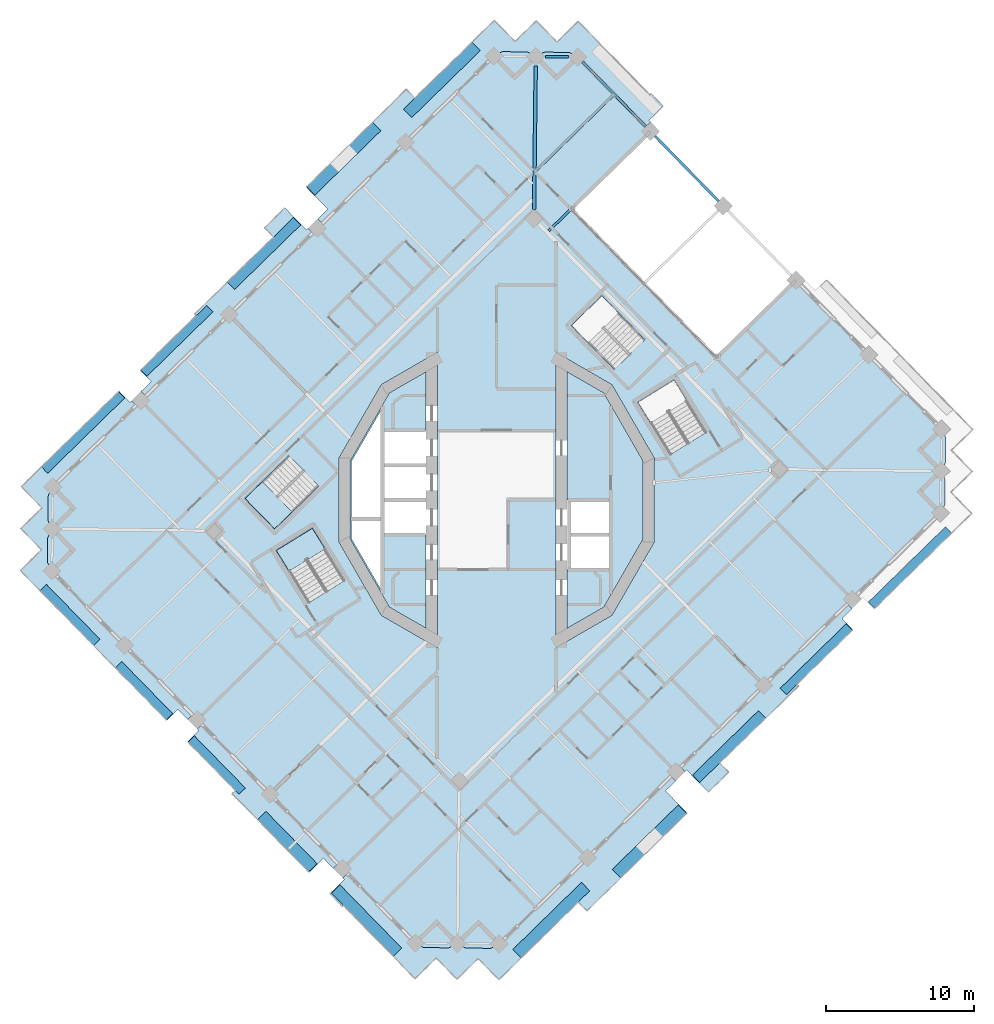
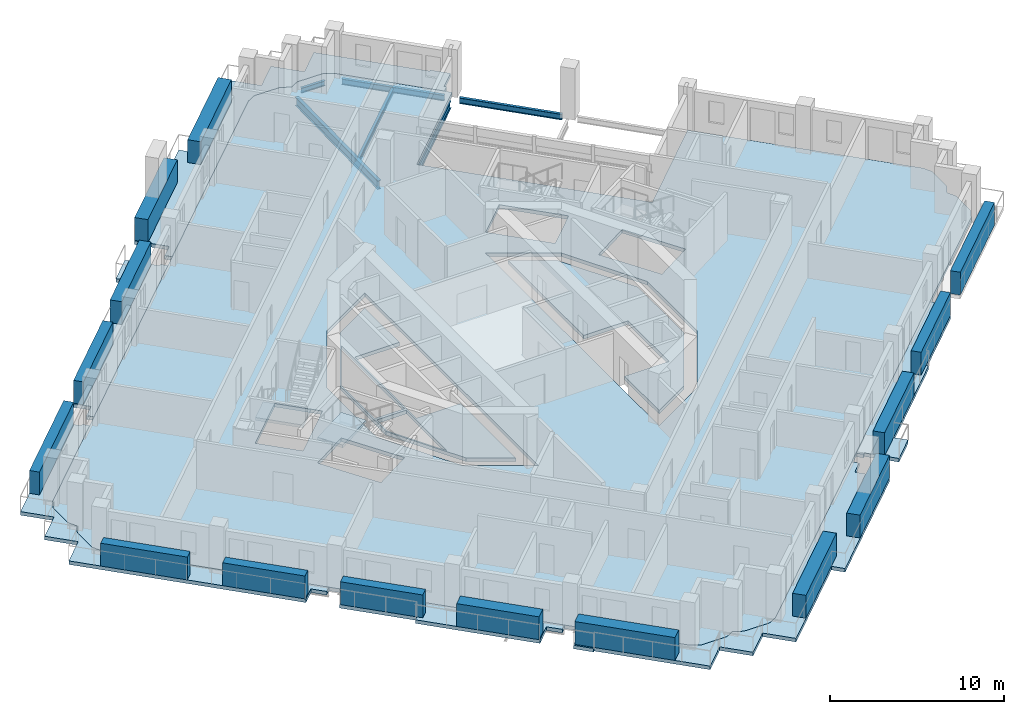
# One storey, part 5 of 20: 15 plates, 11 slabs, 6 beams, 2 elements without a shape of their own.
"""IFC4 building model written with IfcOpenShell, lengths in metres."""

from ifc_helpers import new_model, si_unit, direction, frame, origin, origin_2d, place, context, subcontext, project, spatial, polyline, rectangle, i_section, outline, extrude, material, layer, layer_set, material_profile, profile_set, type_object, element, aggregate, save


model = new_model("IFC4")

# Units and contexts
model_context = context("Model", 3, precision=1e-05, world=origin(), true_north=direction((0.0, 1.0)))
body_context = subcontext(model_context, "Body", "Model", "MODEL_VIEW")
ifc_project = project(units=[si_unit("LENGTHUNIT", "METRE"), si_unit("AREAUNIT", "SQUARE_METRE"), si_unit("VOLUMEUNIT", "CUBIC_METRE"), si_unit("PLANEANGLEUNIT", "RADIAN"), si_unit("MASSUNIT", "GRAM", prefix="KILO")], contexts=[model_context])

# Site, building, storey
site_placement = place(None, origin())
site = spatial("IfcSite", under=ifc_project, at=site_placement, CompositionType="ELEMENT")
building_placement = place(site_placement, origin())
building = spatial("IfcBuilding", under=site, at=building_placement, Name="Cantera Rosa Tower", CompositionType="ELEMENT")
storey_placement = place(building_placement, frame((0.0, 0.0, 212.60009765625)))
storey = spatial("IfcBuildingStorey", under=building, at=storey_placement, Name="L45", CompositionType="ELEMENT", Elevation=212.60009765625)

# Beams
ifc_material_1 = material(Name="Steel ASTM A992 (Fy 345 MPa)", Category="steel")
ifc_material_profile_1 = material_profile(ifc_material_1, i_section(OverallWidth=0.166015625, OverallDepth=0.528076171875, WebThickness=0.009765625, FlangeThickness=0.013671875, FilletRadius=0.0126953125, at=origin_2d()), Name="W530X74")
ifc_profile_set_1 = profile_set([ifc_material_profile_1], Name="Steel ASTM A992 (Fy 345 MPa)")
beam_type_1 = type_object("IfcBeamType", Name="STEEL BEAM W530X74", PredefinedType="BEAM", material=ifc_profile_set_1)
beam_1_placement = place(storey_placement, frame((10.05859375, 24.548583984375, -0.51416015625), z_axis=(-0.71529025682, -0.698827481213, 0.0), x_axis=(0.698827481213, -0.71529025682, 0.0)))
element("IfcBeam", 1, at=beam_1_placement, inside=storey, type_object=beam_type_1, Name="G-Z4-04 L45", PredefinedType="BEAM", context=body_context, shape_type="SweptSolid", body=[
    extrude(i_section(OverallWidth=0.166015625, OverallDepth=0.528076171875, WebThickness=0.009765625, FlangeThickness=0.013671875, FilletRadius=0.0126953125, at=origin_2d()), origin(), (0.0, 0.0, 1.0), 9.14990234375),
])
ifc_material_2 = material(Name="Steel ASTM A992 (Fy 345 MPa)", Category="steel")
ifc_material_profile_2 = material_profile(ifc_material_2, i_section(OverallWidth=0.22802734375, OverallDepth=0.60205078125, WebThickness=0.010498046875, FlangeThickness=0.014892578125, FilletRadius=0.0126953125, at=origin_2d()), Name="W610X101")
ifc_profile_set_2 = profile_set([ifc_material_profile_2], Name="Steel ASTM A992 (Fy 345 MPa)")
beam_type_2 = type_object("IfcBeamType", Name="STEEL BEAM W610X101", PredefinedType="BEAM", material=ifc_profile_set_2)
beam_2_placement = place(storey_placement, frame((2.638916015625, 29.28076171875, -0.551025390625), z_axis=(-0.011618330597, -0.999932504919, 0.0), x_axis=(0.999932504919, -0.011618330597, 0.0)))
element("IfcBeam", 2, at=beam_2_placement, inside=storey, type_object=beam_type_2, Name="CB-Z4-01 L45", PredefinedType="BEAM", context=body_context, shape_type="SweptSolid", body=[
    extrude(i_section(OverallWidth=0.22802734375, OverallDepth=0.60205078125, WebThickness=0.010498046875, FlangeThickness=0.014892578125, FilletRadius=0.0126953125, at=origin_2d()), origin(), (0.0, 0.0, 1.0), 9.687255859375),
])
ifc_material_3 = material(Name="Steel ASTM A992 (Fy 345 MPa)", Category="steel")
ifc_material_profile_3 = material_profile(ifc_material_3, i_section(OverallWidth=0.1708984375, OverallDepth=0.35595703125, WebThickness=0.00732421875, FlangeThickness=0.01171875, FilletRadius=0.010009765625, at=origin_2d()), Name="W360X51")
ifc_profile_set_3 = profile_set([ifc_material_profile_3], Name="Steel ASTM A992 (Fy 345 MPa)")
beam_type_3 = type_object("IfcBeamType", Name="STEEL JOIST W360X51", PredefinedType="JOIST", material=ifc_profile_set_3)
beam_3_placement = place(storey_placement, frame((7.8203125, 27.268798828125, -0.427978515625), z_axis=(-0.715287213552, -0.69883059616, 0.0), x_axis=(0.69883059616, -0.715287213552, 0.0)))
element("IfcBeam", 3, at=beam_3_placement, inside=storey, type_object=beam_type_3, Name="B-Z4-05 L45", PredefinedType="JOIST", context=body_context, shape_type="SweptSolid", body=[
    extrude(i_section(OverallWidth=0.1708984375, OverallDepth=0.35595703125, WebThickness=0.00732421875, FlangeThickness=0.01171875, FilletRadius=0.010009765625, at=origin_2d()), origin(), (0.0, 0.0, 1.0), 7.2099609375),
])
ifc_material_4 = material(Name="Steel ASTM A992 (Fy 345 MPa)", Category="steel")
ifc_material_profile_4 = material_profile(ifc_material_4, i_section(OverallWidth=0.1708984375, OverallDepth=0.35595703125, WebThickness=0.00732421875, FlangeThickness=0.01171875, FilletRadius=0.010009765625, at=origin_2d()), Name="W360X51")
ifc_profile_set_4 = profile_set([ifc_material_profile_4], Name="Steel ASTM A992 (Fy 345 MPa)")
beam_type_4 = type_object("IfcBeamType", Name="STEEL SPANDREL BEAM W360X51", PredefinedType="SPANDREL", material=ifc_profile_set_4)
beam_4_placement = place(storey_placement, frame((4.838134765625, 29.8916015625, -0.427978515625), z_axis=(-0.999930716123, 0.011771276677, 0.0), x_axis=(-0.011771276677, -0.999930716123, 0.0)))
element("IfcBeam", 4, at=beam_4_placement, inside=storey, type_object=beam_type_4, Name="EB-Z4-06 L45", PredefinedType="SPANDREL", context=body_context, shape_type="SweptSolid", body=[
    extrude(i_section(OverallWidth=0.1708984375, OverallDepth=0.35595703125, WebThickness=0.00732421875, FlangeThickness=0.01171875, FilletRadius=0.010009765625, at=origin_2d()), origin(), (0.0, 0.0, 1.0), 1.555419921875),
])
ifc_material_5 = material(Name="Steel ASTM A992 (Fy 345 MPa)", Category="steel")
ifc_material_profile_5 = material_profile(ifc_material_5, i_section(OverallWidth=0.177978515625, OverallDepth=0.406005859375, WebThickness=0.0078125, FlangeThickness=0.0126953125, FilletRadius=0.01025390625, at=origin_2d()), Name="W410X60")
ifc_profile_set_5 = profile_set([ifc_material_profile_5], Name="Steel ASTM A992 (Fy 345 MPa)")
beam_type_5 = type_object("IfcBeamType", Name="STEEL SPANDREL BEAM W410X60", PredefinedType="SPANDREL", material=ifc_profile_set_5)
beam_5_placement = place(storey_placement, frame((14.9716796875, 20.16357421875, -0.453125), z_axis=(-0.698841120217, 0.71527693147, 0.0), x_axis=(-0.71527693147, -0.698841120217, 0.0)))
element("IfcBeam", 5, at=beam_5_placement, inside=storey, type_object=beam_type_5, Name="EB-Z4-04 L45", PredefinedType="SPANDREL", context=body_context, shape_type="SweptSolid", body=[
    extrude(i_section(OverallWidth=0.177978515625, OverallDepth=0.406005859375, WebThickness=0.0078125, FlangeThickness=0.0126953125, FilletRadius=0.01025390625, at=origin_2d()), origin(), (0.0, 0.0, 1.0), 6.119873046875),
])
beam_6_placement = place(storey_placement, frame((10.06591796875, 25.184814453125, -0.453125), z_axis=(-0.69882117953, 0.715296413412, 0.0), x_axis=(-0.715296413412, -0.69882117953, 0.0)))
element("IfcBeam", 6, at=beam_6_placement, inside=storey, type_object=beam_type_5, Name="EB-Z4-05 L45", PredefinedType="SPANDREL", context=body_context, shape_type="SweptSolid", body=[
    extrude(i_section(OverallWidth=0.177978515625, OverallDepth=0.406005859375, WebThickness=0.0078125, FlangeThickness=0.0126953125, FilletRadius=0.01025390625, at=origin_2d()), origin(), (0.0, 0.0, 1.0), 6.1201171875),
])

# Slabs
ifc_material_6 = material(Name="Concrete C35/45", Category="concrete")
ifc_layer_1 = layer(ifc_material_6, 0.25)
ifc_layer_set_1 = layer_set([ifc_layer_1], Name="COMPOSITE FLOOR SLAB 250 C35/45")
slab_type_1 = type_object("IfcSlabType", Name="COMPOSITE FLOOR SLAB 250 C35/45", PredefinedType="FLOOR", material=ifc_layer_set_1)
slab_1_placement = place(storey_placement, frame((0.0, 0.0, -0.25)))
element("IfcSlab", 7, at=slab_1_placement, inside=storey, type_object=slab_type_1, Name="SLAB L45 floor 1", PredefinedType="FLOOR", context=body_context, shape_type="SweptSolid", body=[
    extrude(outline(polyline([(-4.75, -2.35009765625), (-4.75, -8.660400390625), (-7.22900390625, -7.22900390625), (-9.875244140625, -2.64599609375), (-9.875244140625, 2.64599609375), (-7.22900390625, 7.22900390625), (-4.75, 8.660400390625), (-4.75, 4.699951171875), (-7.699951171875, 4.699951171875), (-7.699951171875, 2.35009765625), (-7.699951171875, 0.0), (-7.699951171875, -2.35009765625), (-4.75, -2.35009765625)]), holes=[polyline([(-7.800048828125, -1.3828125), (-9.775146484375, -1.3828125), (-9.775146484375, -2.619384765625), (-7.800048828125, -6.040283203125), (-7.800048828125, -1.3828125)]), polyline([(-7.800048828125, 6.040283203125), (-9.775146484375, 2.619384765625), (-9.775146484375, -1.1826171875), (-7.800048828125, -1.1826171875), (-7.800048828125, 6.040283203125)])]), origin(), (0.0, 0.0, 1.0), 0.25),
])
slab_2_placement = place(storey_placement, frame((0.0, 0.0, -0.25)))
element("IfcSlab", 8, at=slab_2_placement, inside=storey, type_object=slab_type_1, Name="SLAB L45 floor 2", PredefinedType="FLOOR", context=body_context, shape_type="SweptSolid", body=[
    extrude(outline(polyline([(-2.1279296875, -30.200439453125), (-2.154541015625, -30.1875), (-2.646484375, -29.917236328125), (-3.144287109375, -30.176025390625), (-3.171142578125, -30.188232421875), (-3.198974609375, -30.197998046875), (-3.2275390625, -30.20458984375), (-3.2568359375, -30.208740234375), (-3.2861328125, -30.209716796875), (-4.841796875, -30.191650390625), (-4.87109375, -30.18994140625), (-4.900146484375, -30.185302734375), (-4.9287109375, -30.177734375), (-4.956298828125, -30.16748046875), (-4.982666015625, -30.154541015625), (-5.474609375, -29.88427734375), (-30.003662109375, -4.777587890625), (-30.262451171875, -4.27978515625), (-30.274658203125, -4.2529296875), (-30.2841796875, -4.22509765625), (-30.291015625, -4.196533203125), (-30.295166015625, -4.167236328125), (-30.296142578125, -4.137939453125), (-30.278076171875, -2.58251953125), (-30.2763671875, -2.552978515625), (-30.271484375, -2.52392578125), (-30.26416015625, -2.495361328125), (-30.25390625, -2.4677734375), (-30.240966796875, -2.44140625), (-29.970703125, -1.949462890625), (-30.2294921875, -1.451416015625), (-30.24169921875, -1.4248046875), (-30.25146484375, -1.39697265625), (-30.25830078125, -1.368408203125), (-30.26220703125, -1.339111328125), (-30.26318359375, -1.309814453125), (-30.2451171875, 0.245849609375), (-30.243408203125, 0.275146484375), (-30.23876953125, 0.30419921875), (-30.231201171875, 0.332763671875), (-30.220947265625, 0.3603515625), (-30.2080078125, 0.386962890625), (-29.937744140625, 0.878662109375), (-0.883056640625, 29.26513671875), (-0.181884765625, 29.9501953125), (0.316162109375, 30.208984375), (0.343017578125, 30.22119140625), (0.37060546875, 30.230712890625), (0.3994140625, 30.237548828125), (0.4287109375, 30.24169921875), (0.4580078125, 30.24267578125), (2.013427734375, 30.224609375), (2.04296875, 30.222900390625), (2.072021484375, 30.218017578125), (2.100341796875, 30.210693359375), (2.1279296875, 30.200439453125), (2.154541015625, 30.1875), (2.646484375, 29.917236328125), (3.144287109375, 30.176025390625), (3.171142578125, 30.188232421875), (3.198974609375, 30.197998046875), (3.2275390625, 30.20458984375), (3.2568359375, 30.208740234375), (3.2861328125, 30.209716796875), (4.841796875, 30.191650390625), (4.87109375, 30.18994140625), (4.900146484375, 30.185302734375), (4.9287109375, 30.177734375), (4.956298828125, 30.16748046875), (4.982666015625, 30.154541015625), (5.474609375, 29.88427734375), (10.38037109375, 24.863037109375), (5.015869140625, 19.621826171875), (14.827392578125, 9.5791015625), (20.19189453125, 14.8203125), (30.003662109375, 4.777587890625), (30.262451171875, 4.27978515625), (30.274658203125, 4.2529296875), (30.2841796875, 4.22509765625), (30.291015625, 4.196533203125), (30.295166015625, 4.167236328125), (30.296142578125, 4.137939453125), (30.278076171875, 2.58251953125), (30.2763671875, 2.552978515625), (30.271484375, 2.52392578125), (30.26416015625, 2.495361328125), (30.25390625, 2.4677734375), (30.240966796875, 2.44140625), (29.970703125, 1.949462890625), (30.2294921875, 1.451416015625), (30.24169921875, 1.4248046875), (30.25146484375, 1.39697265625), (30.25830078125, 1.368408203125), (30.26220703125, 1.339111328125), (30.26318359375, 1.309814453125), (30.2451171875, -0.245849609375), (30.243408203125, -0.275146484375), (30.23876953125, -0.30419921875), (30.231201171875, -0.332763671875), (30.220947265625, -0.3603515625), (30.2080078125, -0.386962890625), (29.937744140625, -0.878662109375), (0.883056640625, -29.26513671875), (0.181884765625, -29.9501953125), (-0.316162109375, -30.208984375), (-0.343017578125, -30.22119140625), (-0.37060546875, -30.230712890625), (-0.3994140625, -30.237548828125), (-0.4287109375, -30.24169921875), (-0.4580078125, -30.24267578125), (-2.013427734375, -30.224609375), (-2.04296875, -30.222900390625), (-2.072021484375, -30.218017578125), (-2.100341796875, -30.210693359375), (-2.1279296875, -30.200439453125)]), holes=[polyline([(-12.430908203125, -1.911376953125), (-14.8564453125, -3.407470703125), (-12.68408203125, -6.929443359375), (-10.258544921875, -5.433349609375), (-12.430908203125, -1.911376953125)]), polyline([(-7.7783203125, 7.7783203125), (-10.625244140625, 2.846923828125), (-10.625244140625, -2.846923828125), (-7.7783203125, -7.7783203125), (-4.0, -9.95947265625), (-4.0, 9.95947265625), (-7.7783203125, 7.7783203125)]), polyline([(-14.0029296875, 2.9892578125), (-16.962890625, 0.097412109375), (-14.97119140625, -1.941162109375), (-12.01123046875, 0.95068359375), (-14.0029296875, 2.9892578125)]), polyline([(7.7783203125, -7.7783203125), (10.625244140625, -2.846923828125), (10.625244140625, 2.846923828125), (7.7783203125, 7.7783203125), (4.0, 9.95947265625), (4.0, -9.95947265625), (7.7783203125, -7.7783203125)]), polyline([(14.1416015625, 4.566650390625), (11.96923828125, 8.088623046875), (9.54345703125, 6.592529296875), (11.7158203125, 3.070556640625), (14.1416015625, 4.566650390625)]), polyline([(9.9892578125, 10.802978515625), (7.097412109375, 13.762939453125), (5.058837890625, 11.771240234375), (7.95068359375, 8.811279296875), (9.9892578125, 10.802978515625)])]), origin(), (0.0, 0.0, 1.0), 0.25),
])
slab_3_placement = place(storey_placement, frame((0.0, 0.0, -0.25)))
element("IfcSlab", 9, at=slab_3_placement, inside=storey, type_object=slab_type_1, Name="SLAB L45 floor 3", PredefinedType="FLOOR", context=body_context, shape_type="SweptSolid", body=[
    extrude(outline(polyline([(7.699951171875, -2.35009765625), (7.699951171875, 0.0), (4.75, 0.0), (4.75, 8.660400390625), (7.22900390625, 7.22900390625), (9.875244140625, 2.64599609375), (9.875244140625, -2.64599609375), (7.22900390625, -7.22900390625), (4.75, -8.660400390625), (4.75, -4.699951171875), (7.699951171875, -4.699951171875), (7.699951171875, -2.35009765625)])), origin(), (0.0, 0.0, 1.0), 0.25),
])
ifc_material_7 = material(Name="Concrete C35/45", Category="concrete")
ifc_layer_2 = layer(ifc_material_7, 0.25)
ifc_layer_set_2 = layer_set([ifc_layer_2], Name="LOGGIA SLAB 250 C35/45")
slab_type_2 = type_object("IfcSlabType", Name="LOGGIA SLAB 250 C35/45", PredefinedType="FLOOR", material=ifc_layer_set_2)
slab_4_placement = place(storey_placement, frame((0.0, 0.0, -0.25)))
element("IfcSlab", 10, at=slab_4_placement, inside=storey, type_object=slab_type_2, Name="LOGGIA SLAB L45 1", PredefinedType="FLOOR", context=body_context, shape_type="SweptSolid", body=[
    extrude(outline(polyline([(-27.218994140625, -9.7744140625), (-31.076416015625, -5.825927734375), (-32.124755859375, -4.753173828125), (-31.0517578125, -3.704833984375), (-30.694091796875, -3.35546875), (-31.043701171875, -2.997802734375), (-32.091796875, -1.9248046875), (-31.018798828125, -0.876708984375), (-30.661376953125, -0.527099609375), (-31.0107421875, -0.16943359375), (-32.05908203125, 0.9033203125), (-30.986083984375, 1.95166015625), (-26.10791015625, 6.7177734375), (-25.464111328125, 7.3466796875), (-24.730224609375, 6.595703125), (-24.622802734375, 6.700439453125), (-24.30859375, 6.37841796875), (-29.937744140625, 0.878662109375), (-30.2080078125, 0.386962890625), (-30.220947265625, 0.3603515625), (-30.231201171875, 0.332763671875), (-30.23876953125, 0.30419921875), (-30.243408203125, 0.275146484375), (-30.2451171875, 0.245849609375), (-30.26318359375, -1.309814453125), (-30.26220703125, -1.339111328125), (-30.25830078125, -1.368408203125), (-30.25146484375, -1.39697265625), (-30.24169921875, -1.4248046875), (-30.2294921875, -1.451416015625), (-29.970703125, -1.949462890625), (-30.240966796875, -2.44140625), (-30.25390625, -2.4677734375), (-30.26416015625, -2.495361328125), (-30.271484375, -2.52392578125), (-30.2763671875, -2.552978515625), (-30.278076171875, -2.58251953125), (-30.296142578125, -4.137939453125), (-30.295166015625, -4.167236328125), (-30.291015625, -4.196533203125), (-30.2841796875, -4.22509765625), (-30.274658203125, -4.2529296875), (-30.262451171875, -4.27978515625), (-30.003662109375, -4.777587890625), (-20.506591796875, -14.49853515625), (-20.828369140625, -14.81298828125), (-21.4921875, -14.13330078125), (-22.243408203125, -14.8671875), (-22.313232421875, -14.795654296875), (-25.12255859375, -11.920166015625), (-27.218994140625, -9.7744140625)])), origin(), (0.0, 0.0, 1.0), 0.25),
])
slab_5_placement = place(storey_placement, frame((0.0, 0.0, -0.25)))
element("IfcSlab", 11, at=slab_5_placement, inside=storey, type_object=slab_type_2, Name="LOGGIA SLAB L45 2", PredefinedType="FLOOR", context=body_context, shape_type="SweptSolid", body=[
    extrude(outline(polyline([(-20.37841796875, 12.534423828125), (-15.0478515625, 17.742431640625), (-15.654052734375, 18.363037109375), (-14.277587890625, 19.7080078125), (-12.827880859375, 18.22412109375), (-12.720703125, 18.3291015625), (-12.406005859375, 18.007080078125), (-23.664794921875, 7.007568359375), (-23.979248046875, 7.329345703125), (-23.2998046875, 7.9931640625), (-24.033447265625, 8.744384765625), (-23.9619140625, 8.814208984375), (-20.268798828125, 12.42236328125), (-20.37841796875, 12.534423828125)])), origin(), (0.0, 0.0, 1.0), 0.25),
])
slab_6_placement = place(storey_placement, frame((0.0, 0.0, -0.25)))
element("IfcSlab", 12, at=slab_6_placement, inside=storey, type_object=slab_type_2, Name="LOGGIA SLAB L45 3", PredefinedType="FLOOR", context=body_context, shape_type="SweptSolid", body=[
    extrude(outline(polyline([(-20.216796875, -16.94140625), (-20.845703125, -16.2978515625), (-20.094482421875, -15.56396484375), (-20.199462890625, -15.456787109375), (-19.87744140625, -15.14208984375), (-10.69482421875, -24.541015625), (-11.016845703125, -24.855712890625), (-11.6806640625, -24.176025390625), (-12.649169921875, -25.122314453125), (-17.837158203125, -19.81201171875), (-17.619873046875, -19.599609375), (-20.216796875, -16.94140625)])), origin(), (0.0, 0.0, 1.0), 0.25),
])
slab_7_placement = place(storey_placement, frame((0.0, 0.0, -0.25)))
element("IfcSlab", 13, at=slab_7_placement, inside=storey, type_object=slab_type_2, Name="LOGGIA SLAB L45 4", PredefinedType="FLOOR", context=body_context, shape_type="SweptSolid", body=[
    extrude(outline(polyline([(-1.369873046875, 31.166015625), (-0.15380859375, 32.35400390625), (1.0341796875, 31.13818359375), (1.243896484375, 30.923583984375), (1.45849609375, 31.13330078125), (2.67431640625, 32.3212890625), (3.8623046875, 31.105224609375), (4.072021484375, 30.890625), (4.28662109375, 31.100341796875), (5.502685546875, 32.288330078125), (6.690673828125, 31.072265625), (10.335693359375, 27.34130859375), (10.41015625, 27.4140625), (11.25146484375, 26.552734375), (10.282958984375, 25.606689453125), (10.3876953125, 25.499267578125), (10.06591796875, 25.184814453125), (5.474609375, 29.88427734375), (4.982666015625, 30.154541015625), (4.956298828125, 30.16748046875), (4.9287109375, 30.177734375), (4.900146484375, 30.185302734375), (4.87109375, 30.18994140625), (4.841796875, 30.191650390625), (3.2861328125, 30.209716796875), (3.2568359375, 30.208740234375), (3.2275390625, 30.20458984375), (3.198974609375, 30.197998046875), (3.171142578125, 30.188232421875), (3.144287109375, 30.176025390625), (2.646484375, 29.917236328125), (2.154541015625, 30.1875), (2.1279296875, 30.200439453125), (2.100341796875, 30.210693359375), (2.072021484375, 30.218017578125), (2.04296875, 30.222900390625), (2.013427734375, 30.224609375), (0.4580078125, 30.24267578125), (0.4287109375, 30.24169921875), (0.3994140625, 30.237548828125), (0.37060546875, 30.230712890625), (0.343017578125, 30.22119140625), (0.316162109375, 30.208984375), (-0.181884765625, 29.9501953125), (-0.883056640625, 29.26513671875), (-11.76220703125, 18.635986328125), (-12.076904296875, 18.9580078125), (-11.397216796875, 19.621826171875), (-12.846923828125, 21.105712890625), (-6.091552734375, 27.705810546875), (-5.515380859375, 27.115966796875), (-1.369873046875, 31.166015625)])), origin(), (0.0, 0.0, 1.0), 0.25),
])
slab_8_placement = place(storey_placement, frame((0.0, 0.0, -0.25)))
element("IfcSlab", 14, at=slab_8_placement, inside=storey, type_object=slab_type_2, Name="LOGGIA SLAB L45 5", PredefinedType="FLOOR", context=body_context, shape_type="SweptSolid", body=[
    extrude(outline(polyline([(1.369873046875, -31.166015625), (0.15380859375, -32.35400390625), (-1.0341796875, -31.13818359375), (-1.243896484375, -30.923583984375), (-1.45849609375, -31.13330078125), (-2.67431640625, -32.3212890625), (-3.8623046875, -31.105224609375), (-4.072021484375, -30.890625), (-4.28662109375, -31.100341796875), (-5.502685546875, -32.288330078125), (-6.690673828125, -31.072265625), (-10.335693359375, -27.34130859375), (-10.41015625, -27.4140625), (-11.25146484375, -26.552734375), (-10.282958984375, -25.606689453125), (-10.3876953125, -25.499267578125), (-10.06591796875, -25.184814453125), (-5.474609375, -29.88427734375), (-4.982666015625, -30.154541015625), (-4.956298828125, -30.16748046875), (-4.9287109375, -30.177734375), (-4.900146484375, -30.185302734375), (-4.87109375, -30.18994140625), (-4.841796875, -30.191650390625), (-3.2861328125, -30.209716796875), (-3.2568359375, -30.208740234375), (-3.2275390625, -30.20458984375), (-3.198974609375, -30.197998046875), (-3.171142578125, -30.188232421875), (-3.144287109375, -30.176025390625), (-2.646484375, -29.917236328125), (-2.154541015625, -30.1875), (-2.1279296875, -30.200439453125), (-2.100341796875, -30.210693359375), (-2.072021484375, -30.218017578125), (-2.04296875, -30.222900390625), (-2.013427734375, -30.224609375), (-0.4580078125, -30.24267578125), (-0.4287109375, -30.24169921875), (-0.3994140625, -30.237548828125), (-0.37060546875, -30.230712890625), (-0.343017578125, -30.22119140625), (-0.316162109375, -30.208984375), (0.181884765625, -29.9501953125), (0.883056640625, -29.26513671875), (11.76220703125, -18.635986328125), (12.076904296875, -18.9580078125), (11.397216796875, -19.621826171875), (12.846923828125, -21.105712890625), (6.091552734375, -27.705810546875), (5.515380859375, -27.115966796875), (1.369873046875, -31.166015625)])), origin(), (0.0, 0.0, 1.0), 0.25),
])
slab_9_placement = place(storey_placement, frame((0.0, 0.0, -0.25)))
element("IfcSlab", 15, at=slab_9_placement, inside=storey, type_object=slab_type_2, Name="LOGGIA SLAB L45 6", PredefinedType="FLOOR", context=body_context, shape_type="SweptSolid", body=[
    extrude(outline(polyline([(12.827880859375, -18.22412109375), (12.720703125, -18.3291015625), (12.406005859375, -18.007080078125), (23.664794921875, -7.007568359375), (23.979248046875, -7.329345703125), (23.2998046875, -7.9931640625), (24.033447265625, -8.744384765625), (23.9619140625, -8.814208984375), (20.268798828125, -12.42236328125), (20.37841796875, -12.534423828125), (15.0478515625, -17.742431640625), (15.654052734375, -18.363037109375), (14.277587890625, -19.7080078125), (12.827880859375, -18.22412109375)])), origin(), (0.0, 0.0, 1.0), 0.25),
])

# Plates
ifc_material_8 = material(Name="Cantera stone planter with soil", Category="masonry")
plate_type_1 = type_object("IfcPlateType", Name="PLANTER 600", PredefinedType="USERDEFINED", material=ifc_material_8)
plate_1_placement = place(storey_placement, frame((-21.5634765625, 10.738037109375, -0.000244140625), z_axis=(0.0, 0.0, 1.0), x_axis=(-0.71528629107, -0.698831540364, 0.0)))
element("IfcPlate", 16, at=plate_1_placement, inside=storey, type_object=plate_type_1, Name="PLANTER L45-09", ObjectType="PLANTER", PredefinedType="USERDEFINED", context=body_context, shape_type="SweptSolid", body=[
    extrude(rectangle(XDim=6.219970703125, YDim=0.60009765625, at=origin_2d()), origin(), (0.0, 0.0, 1.0), 1.60009765625),
])
plate_2_placement = place(storey_placement, frame((-27.89013671875, 4.556884765625, -0.000244140625), z_axis=(0.0, 0.0, 1.0), x_axis=(-0.71528629107, -0.698831540364, 0.0)))
element("IfcPlate", 17, at=plate_2_placement, inside=storey, type_object=plate_type_1, Name="PLANTER L45-10", ObjectType="PLANTER", PredefinedType="USERDEFINED", context=body_context, shape_type="SweptSolid", body=[
    extrude(rectangle(XDim=7.27001953125, YDim=0.60009765625, at=origin_2d()), origin(), (0.0, 0.0, 1.0), 1.60009765625),
])
plate_3_placement = place(storey_placement, frame((-28.77587890625, -7.75146484375, -0.000244140625), z_axis=(0.0, 0.0, 1.0), x_axis=(0.698831540364, -0.71528629107, 0.0)))
element("IfcPlate", 18, at=plate_3_placement, inside=storey, type_object=plate_type_1, Name="PLANTER L45-11", ObjectType="PLANTER", PredefinedType="USERDEFINED", context=body_context, shape_type="SweptSolid", body=[
    extrude(rectangle(XDim=5.169921875, YDim=0.60009765625, at=origin_2d()), origin(), (0.0, 0.0, 1.0), 1.60009765625),
])
for number, where, z_axis, x_axis, name in (
    (19, (-23.78271484375, -12.8623046875, -0.000244140625), (0.0, 0.0, 1.0), (0.698831540364, -0.71528629107, 0.0), "PLANTER L45-12"),
    (20, (-18.876953125, -17.883544921875, -0.000244140625), (0.0, 0.0, 1.0), (0.698831540364, -0.71528629107, 0.0), "PLANTER L45-13"),
):
    element("IfcPlate", number, at=place(storey_placement, frame(where, z_axis=z_axis, x_axis=x_axis)), inside=storey, type_object=plate_type_1, Name=name, ObjectType="PLANTER", PredefinedType="USERDEFINED", context=body_context, shape_type="SweptSolid", body=[
        extrude(rectangle(XDim=4.919921875, YDim=0.60009765625, at=origin_2d()), origin(), (0.0, 0.0, 1.0), 1.60009765625),
    ])
plate_4_placement = place(storey_placement, frame((21.5634765625, -10.738037109375, -0.000244140625), z_axis=(0.0, 0.0, 1.0), x_axis=(0.71528629107, 0.698831540364, 0.0)))
element("IfcPlate", 21, at=plate_4_placement, inside=storey, type_object=plate_type_1, Name="PLANTER L45-19", ObjectType="PLANTER", PredefinedType="USERDEFINED", context=body_context, shape_type="SweptSolid", body=[
    extrude(rectangle(XDim=6.219970703125, YDim=0.60009765625, at=origin_2d()), origin(), (0.0, 0.0, 1.0), 1.60009765625),
])
plate_5_placement = place(storey_placement, frame((27.89013671875, -4.556884765625, -0.000244140625), z_axis=(0.0, 0.0, 1.0), x_axis=(0.71528629107, 0.698831540364, 0.0)))
element("IfcPlate", 22, at=plate_5_placement, inside=storey, type_object=plate_type_1, Name="PLANTER L45-20", ObjectType="PLANTER", PredefinedType="USERDEFINED", context=body_context, shape_type="SweptSolid", body=[
    extrude(rectangle(XDim=7.27001953125, YDim=0.60009765625, at=origin_2d()), origin(), (0.0, 0.0, 1.0), 1.60009765625),
])
ifc_material_9 = material(Name="Cantera stone planter with soil", Category="masonry")
plate_type_2 = type_object("IfcPlateType", Name="PLANTER 700", PredefinedType="USERDEFINED", material=ifc_material_9)
for number, where, z_axis, x_axis, name in (
    (23, (-15.68701171875, 16.628662109375, -0.000244140625), (0.0, 0.0, 1.0), (-0.71528629107, -0.698831540364, 0.0), "PLANTER L45-08"),
    (24, (15.68701171875, -16.628662109375, -0.000244140625), (0.0, 0.0, 1.0), (0.71528629107, 0.698831540364, 0.0), "PLANTER L45-18"),
):
    element("IfcPlate", number, at=place(storey_placement, frame(where, z_axis=z_axis, x_axis=x_axis)), inside=storey, type_object=plate_type_2, Name=name, ObjectType="PLANTER", PredefinedType="USERDEFINED", context=body_context, shape_type="SweptSolid", body=[
        extrude(rectangle(XDim=6.219970703125, YDim=0.699951171875, at=origin_2d()), origin(), (0.0, 0.0, 1.0), 1.60009765625),
    ])
ifc_material_10 = material(Name="Cantera stone planter with soil", Category="masonry")
plate_type_3 = type_object("IfcPlateType", Name="PLANTER 800", PredefinedType="USERDEFINED", material=ifc_material_10)
plate_6_placement = place(storey_placement, frame((-3.6904296875, 28.33984375, -0.000244140625), z_axis=(0.0, 0.0, 1.0), x_axis=(-0.71528629107, -0.698831540364, 0.0)))
element("IfcPlate", 25, at=plate_6_placement, inside=storey, type_object=plate_type_3, Name="PLANTER L45-06", ObjectType="PLANTER", PredefinedType="USERDEFINED", context=body_context, shape_type="SweptSolid", body=[
    extrude(rectangle(XDim=6.469970703125, YDim=0.800048828125, at=origin_2d()), origin(), (0.0, 0.0, 1.0), 1.60009765625),
])
plate_7_placement = place(storey_placement, frame((-10.30712890625, 23.02783203125, -0.000244140625), z_axis=(0.0, 0.0, 1.0), x_axis=(-0.71528629107, -0.698831540364, 0.0)))
element("IfcPlate", 26, at=plate_7_placement, inside=storey, type_object=plate_type_3, Name="PLANTER L45-07", ObjectType="PLANTER", PredefinedType="USERDEFINED", context=body_context, shape_type="SweptSolid", body=[
    extrude(rectangle(XDim=6.219970703125, YDim=0.800048828125, at=origin_2d()), origin(), (0.0, 0.0, 1.0), 1.60009765625),
])
plate_8_placement = place(storey_placement, frame((-14.1171875, -23.04736328125, -0.000244140625), z_axis=(0.0, 0.0, 1.0), x_axis=(0.698831540364, -0.71528629107, 0.0)))
element("IfcPlate", 27, at=plate_8_placement, inside=storey, type_object=plate_type_3, Name="PLANTER L45-14", ObjectType="PLANTER", PredefinedType="USERDEFINED", context=body_context, shape_type="SweptSolid", body=[
    extrude(rectangle(XDim=4.919921875, YDim=0.800048828125, at=origin_2d()), origin(), (0.0, 0.0, 1.0), 1.60009765625),
])
plate_9_placement = place(storey_placement, frame((-8.77001953125, -28.37158203125, -0.000244140625), z_axis=(0.0, 0.0, 1.0), x_axis=(0.698831540364, -0.71528629107, 0.0)))
element("IfcPlate", 28, at=plate_9_placement, inside=storey, type_object=plate_type_3, Name="PLANTER L45-15", ObjectType="PLANTER", PredefinedType="USERDEFINED", context=body_context, shape_type="SweptSolid", body=[
    extrude(rectangle(XDim=5.969970703125, YDim=0.800048828125, at=origin_2d()), origin(), (0.0, 0.0, 1.0), 1.60009765625),
])
plate_10_placement = place(storey_placement, frame((3.6904296875, -28.33984375, -0.000244140625), z_axis=(0.0, 0.0, 1.0), x_axis=(0.71528629107, 0.698831540364, 0.0)))
element("IfcPlate", 29, at=plate_10_placement, inside=storey, type_object=plate_type_3, Name="PLANTER L45-16", ObjectType="PLANTER", PredefinedType="USERDEFINED", context=body_context, shape_type="SweptSolid", body=[
    extrude(rectangle(XDim=6.469970703125, YDim=0.800048828125, at=origin_2d()), origin(), (0.0, 0.0, 1.0), 1.60009765625),
])
plate_11_placement = place(storey_placement, frame((10.30712890625, -23.02783203125, -0.000244140625), z_axis=(0.0, 0.0, 1.0), x_axis=(0.71528629107, 0.698831540364, 0.0)))
element("IfcPlate", 30, at=plate_11_placement, inside=storey, type_object=plate_type_3, Name="PLANTER L45-17", ObjectType="PLANTER", PredefinedType="USERDEFINED", context=body_context, shape_type="SweptSolid", body=[
    extrude(rectangle(XDim=6.219970703125, YDim=0.800048828125, at=origin_2d()), origin(), (0.0, 0.0, 1.0), 1.60009765625),
])

# Stair, slab
ifc_material_11 = material(Name="Concrete C35/45", Category="concrete")
stair_type = type_object("IfcStairType", Name="EXIT STAIR 1350 DOGLEG", PredefinedType="HALF_TURN_STAIR", material=ifc_material_11)
stair_1_placement = place(storey_placement, origin())
stair_1 = element("IfcStair", 31, at=stair_1_placement, inside=storey, type_object=stair_type, Name="L45 ST-43", PredefinedType="HALF_TURN_STAIR")
ifc_material_12 = material(Name="Concrete C35/45", Category="concrete")
ifc_layer_3 = layer(ifc_material_12, 0.199951171875)
ifc_layer_set_3 = layer_set([ifc_layer_3], Name="STAIR LANDING 200")
slab_type_3 = type_object("IfcSlabType", Name="STAIR LANDING 200", PredefinedType="LANDING", material=ifc_layer_set_3)
slab_10_placement = place(storey_placement, frame((0.0, 0.0, 1.599853515625)))
slab_10 = element("IfcSlab", 32, at=slab_10_placement, type_object=slab_type_3, Name="ST-43 landing 1", PredefinedType="LANDING", context=body_context, shape_type="SweptSolid", body=[
    extrude(outline(polyline([(-15.788330078125, 1.244873046875), (-16.962890625, 0.097412109375), (-14.97119140625, -1.941162109375), (-13.796630859375, -0.793701171875), (-15.788330078125, 1.244873046875)])), origin(), (0.0, 0.0, 1.0), 0.199951171875),
])
aggregate(stair_1, [slab_10])

stair_2_placement = place(storey_placement, origin())
stair_2 = element("IfcStair", 33, at=stair_2_placement, inside=storey, type_object=stair_type, Name="L45 ST-44", PredefinedType="HALF_TURN_STAIR")
slab_11_placement = place(storey_placement, frame((0.0, 0.0, 1.599853515625)))
slab_11 = element("IfcSlab", 34, at=slab_11_placement, type_object=slab_type_3, Name="ST-44 landing 1", PredefinedType="LANDING", context=body_context, shape_type="SweptSolid", body=[
    extrude(outline(polyline([(-11.56884765625, -3.308837890625), (-12.430908203125, -1.911376953125), (-14.8564453125, -3.407470703125), (-13.99462890625, -4.80517578125), (-11.56884765625, -3.308837890625)])), origin(), (0.0, 0.0, 1.0), 0.199951171875),
])
aggregate(stair_2, [slab_11])

save(model, "model.ifc")
